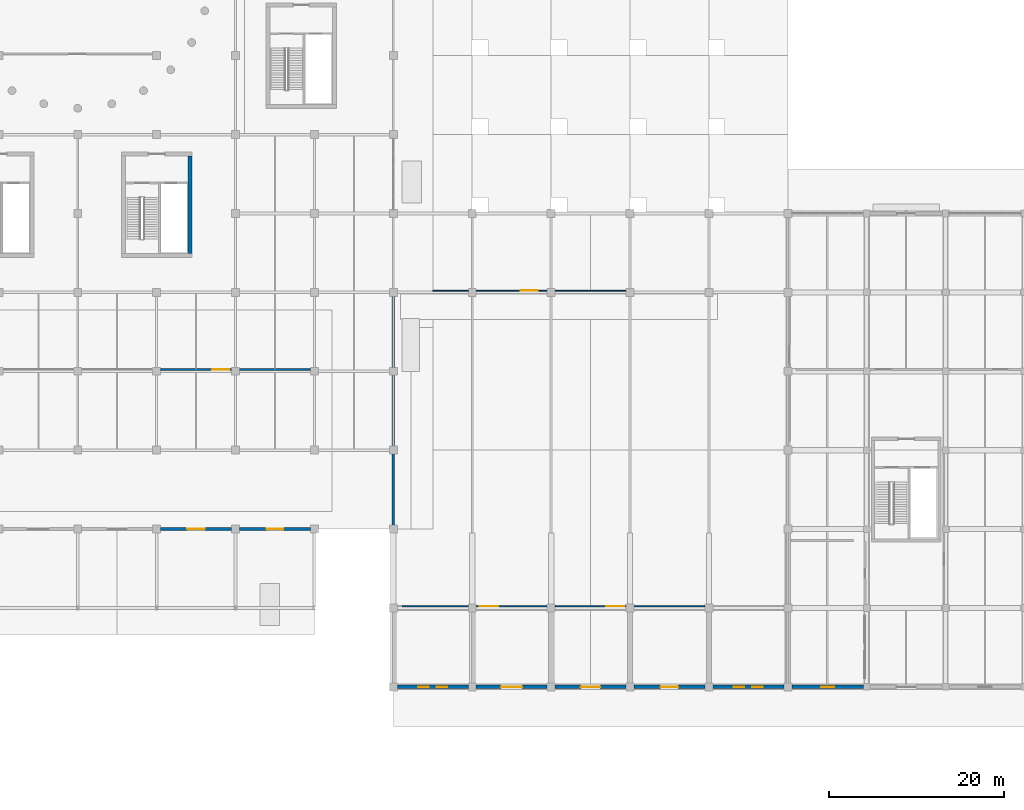
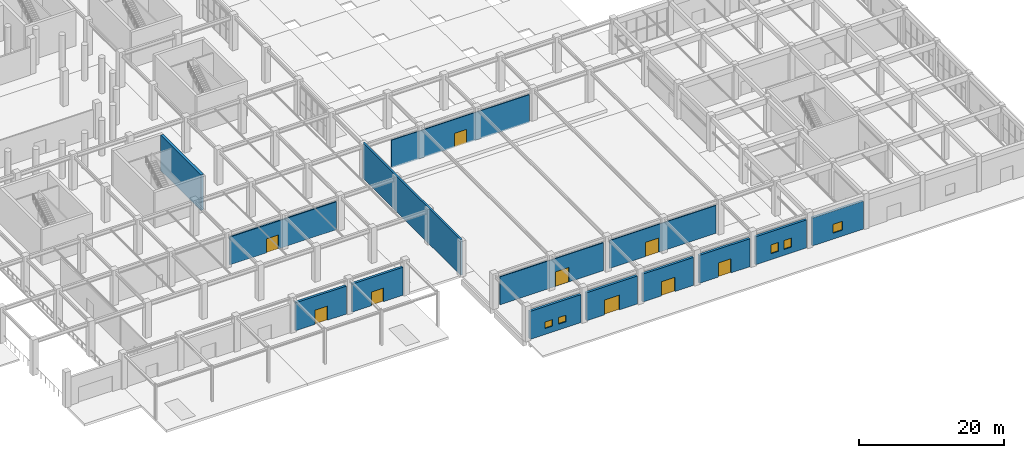
# One storey, part 64 of 91: 14 walls, 9 doors, 5 windows, 14 openings.
"""IFC4 building model written with IfcOpenShell, lengths in metres."""

from ifc_helpers import new_model, si_unit, direction, frame, frame_2d, origin, place, context, subcontext, project, spatial, rectangle, extrude, material, layer, layer_set, type_object, element, fill, save


model = new_model("IFC4")

# Units and contexts
model_context = context("Model", 3, precision=1e-05, world=origin(), true_north=direction((0.0, 1.0)))
body_context = subcontext(model_context, "Body", "Model", "MODEL_VIEW")
ifc_project = project(units=[si_unit("LENGTHUNIT", "METRE"), si_unit("AREAUNIT", "SQUARE_METRE"), si_unit("VOLUMEUNIT", "CUBIC_METRE"), si_unit("PLANEANGLEUNIT", "RADIAN"), si_unit("MASSUNIT", "GRAM", prefix="KILO")], contexts=[model_context])

# Site, building, storey
site_placement = place(None, origin())
site = spatial("IfcSite", under=ifc_project, at=site_placement, CompositionType="ELEMENT")
building_placement = place(site_placement, origin())
building = spatial("IfcBuilding", under=site, at=building_placement, Name="Dornveld Trade and Exhibition Forum", CompositionType="ELEMENT")
storey_placement = place(building_placement, origin())
storey = spatial("IfcBuildingStorey", under=building, at=storey_placement, Name="L00", CompositionType="ELEMENT", Elevation=0.0)

# Walls
ifc_material_1 = material(Name="Concrete C40/50", Category="concrete")
ifc_layer_1 = layer(ifc_material_1, 0.449951171875)
ifc_layer_set_1 = layer_set([ifc_layer_1], Name="Concrete C40/50")
wall_type_1 = type_object("IfcWallType", Name="WL-CORE-450", PredefinedType="SHEAR", material=ifc_layer_set_1)
wall_1_placement = place(storey_placement, frame((129.800048828125, 49.425048828125, 0.0), z_axis=(0.0, 0.0, 1.0), x_axis=(0.0, 1.0, 0.0)))
element("IfcWall", 1, at=wall_1_placement, inside=storey, type_object=wall_type_1, Name="CORE-07 L00 shear wall E", PredefinedType="SHEAR", context=body_context, shape_type="SweptSolid", body=[
    extrude(rectangle(XDim=11.14990234375, YDim=0.449951171875, at=frame_2d((5.574951171875, 0.0))), origin(), (0.0, 0.0, 1.0), 6.0),
])
ifc_material_2 = material(Name="Concrete C40/50", Category="concrete")
ifc_layer_2 = layer(ifc_material_2, 0.300048828125)
ifc_layer_set_2 = layer_set([ifc_layer_2], Name="Concrete C40/50")
wall_type_2 = type_object("IfcWallType", Name="WL-DIV-300", PredefinedType="SHEAR", material=ifc_layer_set_2)
wall_2_placement = place(storey_placement, frame((153.0, 18.0, 0.0), z_axis=(0.0, 0.0, 1.0), x_axis=(0.0, 1.0, 0.0)))
element("IfcWall", 2, at=wall_2_placement, inside=storey, type_object=wall_type_2, Name="L00 fire division shear wall 6", PredefinedType="SHEAR", context=body_context, shape_type="SweptSolid", body=[
    extrude(rectangle(XDim=27.0, YDim=0.300048828125, at=frame_2d((13.5, 0.0))), origin(), (0.0, 0.0, 1.0), 6.0),
])

# Wall, openings, windows
ifc_material_3 = material(Name="Precast concrete C50/60", Category="concrete")
ifc_layer_3 = layer(ifc_material_3, 0.3798828125)
ifc_layer_set_3 = layer_set([ifc_layer_3], Name="Precast concrete C50/60")
wall_type_3 = type_object("IfcWallType", Name="WL-EXT-PC380", PredefinedType="SOLIDWALL", material=ifc_layer_set_3)
wall_3_placement = place(storey_placement, frame((153.449462890625, 0.0, 0.0), z_axis=(0.0, 0.0, 1.0), x_axis=(1.0, 0.0, 0.0)))
wall_3 = element("IfcWall", 3, at=wall_3_placement, inside=storey, type_object=wall_type_3, Name="L00 precast facade wall 15", PredefinedType="SOLIDWALL", context=body_context, shape_type="SweptSolid", body=[
    extrude(rectangle(XDim=8.10107421875, YDim=0.3798828125, at=frame_2d((4.050537109375, 0.0))), origin(), (0.0, 0.0, 1.0), 4.719970703125),
])
opening_1_placement = place(wall_3_placement, frame((2.400390625, 0.0, 1.0)))
opening_1 = element("IfcOpeningElement", 4, at=opening_1_placement, cuts=wall_3, Name="Opening W-01", PredefinedType="OPENING", context=body_context, shape_type="SweptSolid", body=[
    extrude(rectangle(XDim=1.199951171875, YDim=1.10009765625, at=frame_2d((0.60009765625, 0.550048828125))), frame((0.0, 0.199951171875, 0.0), z_axis=(0.0, -1.0, 0.0), x_axis=(1.0, 0.0, 0.0)), (0.0, 0.0, 1.0), 0.39990234375),
])
opening_2_placement = place(wall_3_placement, frame((4.50048828125, 0.0, 1.0)))
opening_2 = element("IfcOpeningElement", 5, at=opening_2_placement, cuts=wall_3, Name="Opening W-01", PredefinedType="OPENING", context=body_context, shape_type="SweptSolid", body=[
    extrude(rectangle(XDim=1.199951171875, YDim=1.10009765625, at=frame_2d((0.60009765625, 0.550048828125))), frame((0.0, 0.199951171875, 0.0), z_axis=(0.0, -1.0, 0.0), x_axis=(1.0, 0.0, 0.0)), (0.0, 0.0, 1.0), 0.39990234375),
])
ifc_material_4 = material(Name="Dark-bronze anodised aluminium and low-E glass", Category="aluminium")
window_type_1 = type_object("IfcWindowType", Name="WIN-AL-01", PartitioningType="SINGLE_PANEL", PredefinedType="WINDOW", material=ifc_material_4)
window_1_placement = place(opening_1_placement, origin())
window_1 = element("IfcWindow", 6, at=window_1_placement, inside=storey, type_object=window_type_1, Name="L00 facade window 1", OverallHeight=1.10009765625, OverallWidth=1.199951171875, PartitioningType="SINGLE_PANEL", PredefinedType="WINDOW", context=body_context, shape_type="SweptSolid", body=[
    extrude(rectangle(XDim=1.199951171875, YDim=1.10009765625, at=frame_2d((0.60009765625, 0.550048828125))), frame((0.0, 0.030029296875, 0.0), z_axis=(0.0, -1.0, 0.0), x_axis=(1.0, 0.0, 0.0)), (0.0, 0.0, 1.0), 0.06005859375),
])
fill(opening_1, window_1)
window_2_placement = place(opening_2_placement, origin())
window_2 = element("IfcWindow", 7, at=window_2_placement, inside=storey, type_object=window_type_1, Name="L00 facade window 2", OverallHeight=1.10009765625, OverallWidth=1.199951171875, PartitioningType="SINGLE_PANEL", PredefinedType="WINDOW", context=body_context, shape_type="SweptSolid", body=[
    extrude(rectangle(XDim=1.199951171875, YDim=1.10009765625, at=frame_2d((0.60009765625, 0.550048828125))), frame((0.0, 0.030029296875, 0.0), z_axis=(0.0, -1.0, 0.0), x_axis=(1.0, 0.0, 0.0)), (0.0, 0.0, 1.0), 0.06005859375),
])
fill(opening_2, window_2)

# Wall, opening, door
wall_4_placement = place(storey_placement, frame((162.449462890625, 0.0, 0.0), z_axis=(0.0, 0.0, 1.0), x_axis=(1.0, 0.0, 0.0)))
wall_4 = element("IfcWall", 8, at=wall_4_placement, inside=storey, type_object=wall_type_3, Name="L00 precast facade wall 16", PredefinedType="SOLIDWALL", context=body_context, shape_type="SweptSolid", body=[
    extrude(rectangle(XDim=8.10107421875, YDim=0.3798828125, at=frame_2d((4.050537109375, 0.0))), origin(), (0.0, 0.0, 1.0), 4.719970703125),
])
opening_3_placement = place(wall_4_placement, frame((2.8505859375, 0.0, 0.0)))
opening_3 = element("IfcOpeningElement", 9, at=opening_3_placement, cuts=wall_4, Name="Opening ED-05", PredefinedType="OPENING", context=body_context, shape_type="SweptSolid", body=[
    extrude(rectangle(XDim=2.39990234375, YDim=2.5, at=frame_2d((1.199951171875, 1.25))), frame((0.0, 0.199951171875, 0.0), z_axis=(0.0, -1.0, 0.0), x_axis=(1.0, 0.0, 0.0)), (0.0, 0.0, 1.0), 0.39990234375),
])
ifc_material_5 = material(Name="Dark-bronze anodised aluminium and laminated safety glass", Category="aluminium")
door_type_1 = type_object("IfcDoorType", Name="DR-EXT-240x250", OperationType="NOTDEFINED", PredefinedType="DOOR", material=ifc_material_5)
door_1_placement = place(opening_3_placement, frame((2.39990234375, 0.0, 0.0), z_axis=(0.0, 0.0, 1.0), x_axis=(-1.0, 0.0, 0.0)))
door_1 = element("IfcDoor", 10, at=door_1_placement, inside=storey, type_object=door_type_1, Name="Ground final exit double door 5", OperationType="DOUBLE_DOOR_SINGLE_SWING", OverallHeight=2.5, OverallWidth=2.39990234375, PredefinedType="DOOR", context=body_context, shape_type="SweptSolid", body=[
    extrude(rectangle(XDim=2.39990234375, YDim=2.5, at=frame_2d((1.199951171875, 1.25))), frame((0.0, 0.02490234375, 0.0), z_axis=(0.0, -1.0, 0.0), x_axis=(1.0, 0.0, 0.0)), (0.0, 0.0, 1.0), 0.050048828125),
])
fill(opening_3, door_1)

wall_5_placement = place(storey_placement, frame((171.449462890625, 0.0, 0.0), z_axis=(0.0, 0.0, 1.0), x_axis=(1.0, 0.0, 0.0)))
wall_5 = element("IfcWall", 11, at=wall_5_placement, inside=storey, type_object=wall_type_3, Name="L00 precast facade wall 17", PredefinedType="SOLIDWALL", context=body_context, shape_type="SweptSolid", body=[
    extrude(rectangle(XDim=8.10107421875, YDim=0.3798828125, at=frame_2d((4.050537109375, 0.0))), origin(), (0.0, 0.0, 1.0), 4.719970703125),
])
opening_4_placement = place(wall_5_placement, frame((2.950439453125, 0.0, 0.0)))
opening_4 = element("IfcOpeningElement", 12, at=opening_4_placement, cuts=wall_5, Name="Opening ED-06", PredefinedType="OPENING", context=body_context, shape_type="SweptSolid", body=[
    extrude(rectangle(XDim=2.199951171875, YDim=2.39990234375, at=frame_2d((1.10009765625, 1.199951171875))), frame((0.0, 0.199951171875, 0.0), z_axis=(0.0, -1.0, 0.0), x_axis=(1.0, 0.0, 0.0)), (0.0, 0.0, 1.0), 0.39990234375),
])
ifc_material_6 = material(Name="Dark-bronze anodised aluminium and laminated safety glass", Category="aluminium")
door_type_2 = type_object("IfcDoorType", Name="DR-EXT-220x240", OperationType="NOTDEFINED", PredefinedType="DOOR", material=ifc_material_6)
door_2_placement = place(opening_4_placement, frame((2.199951171875, 0.0, 0.0), z_axis=(0.0, 0.0, 1.0), x_axis=(-1.0, 0.0, 0.0)))
door_2 = element("IfcDoor", 13, at=door_2_placement, inside=storey, type_object=door_type_2, Name="Ground final exit double door 6", OperationType="DOUBLE_DOOR_SINGLE_SWING", OverallHeight=2.39990234375, OverallWidth=2.199951171875, PredefinedType="DOOR", context=body_context, shape_type="SweptSolid", body=[
    extrude(rectangle(XDim=2.199951171875, YDim=2.39990234375, at=frame_2d((1.10009765625, 1.199951171875))), frame((0.0, 0.02490234375, 0.0), z_axis=(0.0, -1.0, 0.0), x_axis=(1.0, 0.0, 0.0)), (0.0, 0.0, 1.0), 0.050048828125),
])
fill(opening_4, door_2)

wall_6_placement = place(storey_placement, frame((180.449462890625, 0.0, 0.0), z_axis=(0.0, 0.0, 1.0), x_axis=(1.0, 0.0, 0.0)))
wall_6 = element("IfcWall", 14, at=wall_6_placement, inside=storey, type_object=wall_type_3, Name="L00 precast facade wall 18", PredefinedType="SOLIDWALL", context=body_context, shape_type="SweptSolid", body=[
    extrude(rectangle(XDim=8.10107421875, YDim=0.3798828125, at=frame_2d((4.050537109375, 0.0))), origin(), (0.0, 0.0, 1.0), 4.719970703125),
])
opening_5_placement = place(wall_6_placement, frame((3.050537109375, 0.0, 0.0)))
opening_5 = element("IfcOpeningElement", 15, at=opening_5_placement, cuts=wall_6, Name="Opening ED-07", PredefinedType="OPENING", context=body_context, shape_type="SweptSolid", body=[
    extrude(rectangle(XDim=2.0, YDim=2.39990234375, at=frame_2d((1.0, 1.199951171875))), frame((0.0, 0.199951171875, 0.0), z_axis=(0.0, -1.0, 0.0), x_axis=(1.0, 0.0, 0.0)), (0.0, 0.0, 1.0), 0.39990234375),
])
ifc_material_7 = material(Name="Dark-bronze anodised aluminium and laminated safety glass", Category="aluminium")
door_type_3 = type_object("IfcDoorType", Name="DR-EXT-200x240", OperationType="NOTDEFINED", PredefinedType="DOOR", material=ifc_material_7)
door_3_placement = place(opening_5_placement, frame((2.0, 0.0, 0.0), z_axis=(0.0, 0.0, 1.0), x_axis=(-1.0, 0.0, 0.0)))
door_3 = element("IfcDoor", 16, at=door_3_placement, inside=storey, type_object=door_type_3, Name="Ground final exit double door 7", OperationType="DOUBLE_DOOR_SINGLE_SWING", OverallHeight=2.39990234375, OverallWidth=2.0, PredefinedType="DOOR", context=body_context, shape_type="SweptSolid", body=[
    extrude(rectangle(XDim=2.0, YDim=2.39990234375, at=frame_2d((1.0, 1.199951171875))), frame((0.0, 0.02490234375, 0.0), z_axis=(0.0, -1.0, 0.0), x_axis=(1.0, 0.0, 0.0)), (0.0, 0.0, 1.0), 0.050048828125),
])
fill(opening_5, door_3)

# Wall, openings, windows
wall_7_placement = place(storey_placement, frame((189.449462890625, 0.0, 0.0), z_axis=(0.0, 0.0, 1.0), x_axis=(1.0, 0.0, 0.0)))
wall_7 = element("IfcWall", 17, at=wall_7_placement, inside=storey, type_object=wall_type_3, Name="L00 precast facade wall 19", PredefinedType="SOLIDWALL", context=body_context, shape_type="SweptSolid", body=[
    extrude(rectangle(XDim=8.10107421875, YDim=0.3798828125, at=frame_2d((4.050537109375, 0.0))), origin(), (0.0, 0.0, 1.0), 4.719970703125),
])
opening_6_placement = place(wall_7_placement, frame((2.400390625, 0.0, 1.0)))
opening_6 = element("IfcOpeningElement", 18, at=opening_6_placement, cuts=wall_7, Name="Opening W-03", PredefinedType="OPENING", context=body_context, shape_type="SweptSolid", body=[
    extrude(rectangle(XDim=1.199951171875, YDim=1.5, at=frame_2d((0.60009765625, 0.75))), frame((0.0, 0.199951171875, 0.0), z_axis=(0.0, -1.0, 0.0), x_axis=(1.0, 0.0, 0.0)), (0.0, 0.0, 1.0), 0.39990234375),
])
opening_7_placement = place(wall_7_placement, frame((4.50048828125, 0.0, 1.0)))
opening_7 = element("IfcOpeningElement", 19, at=opening_7_placement, cuts=wall_7, Name="Opening W-03", PredefinedType="OPENING", context=body_context, shape_type="SweptSolid", body=[
    extrude(rectangle(XDim=1.199951171875, YDim=1.5, at=frame_2d((0.60009765625, 0.75))), frame((0.0, 0.199951171875, 0.0), z_axis=(0.0, -1.0, 0.0), x_axis=(1.0, 0.0, 0.0)), (0.0, 0.0, 1.0), 0.39990234375),
])
ifc_material_8 = material(Name="Dark-bronze anodised aluminium and low-E glass", Category="aluminium")
window_type_2 = type_object("IfcWindowType", Name="WIN-AL-03", PartitioningType="SINGLE_PANEL", PredefinedType="WINDOW", material=ifc_material_8)
window_3_placement = place(opening_6_placement, origin())
window_3 = element("IfcWindow", 20, at=window_3_placement, inside=storey, type_object=window_type_2, Name="L00 facade window 3", OverallHeight=1.5, OverallWidth=1.199951171875, PartitioningType="SINGLE_PANEL", PredefinedType="WINDOW", context=body_context, shape_type="SweptSolid", body=[
    extrude(rectangle(XDim=1.199951171875, YDim=1.5, at=frame_2d((0.60009765625, 0.75))), frame((0.0, 0.030029296875, 0.0), z_axis=(0.0, -1.0, 0.0), x_axis=(1.0, 0.0, 0.0)), (0.0, 0.0, 1.0), 0.06005859375),
])
fill(opening_6, window_3)
window_4_placement = place(opening_7_placement, origin())
window_4 = element("IfcWindow", 21, at=window_4_placement, inside=storey, type_object=window_type_2, Name="L00 facade window 4", OverallHeight=1.5, OverallWidth=1.199951171875, PartitioningType="SINGLE_PANEL", PredefinedType="WINDOW", context=body_context, shape_type="SweptSolid", body=[
    extrude(rectangle(XDim=1.199951171875, YDim=1.5, at=frame_2d((0.60009765625, 0.75))), frame((0.0, 0.030029296875, 0.0), z_axis=(0.0, -1.0, 0.0), x_axis=(1.0, 0.0, 0.0)), (0.0, 0.0, 1.0), 0.06005859375),
])
fill(opening_7, window_4)

# Wall, opening, door
wall_8_placement = place(storey_placement, frame((126.449462890625, 18.0, 0.0), z_axis=(0.0, 0.0, 1.0), x_axis=(1.0, 0.0, 0.0)))
wall_8 = element("IfcWall", 22, at=wall_8_placement, inside=storey, type_object=wall_type_3, Name="L00 precast facade wall 23", PredefinedType="SOLIDWALL", context=body_context, shape_type="SweptSolid", body=[
    extrude(rectangle(XDim=8.10107421875, YDim=0.3798828125, at=frame_2d((4.050537109375, 0.0))), origin(), (0.0, 0.0, 1.0), 4.719970703125),
])
opening_8_placement = place(wall_8_placement, frame((3.050537109375, 0.0, 0.0)))
opening_8 = element("IfcOpeningElement", 23, at=opening_8_placement, cuts=wall_8, Name="Opening ED-11", PredefinedType="OPENING", context=body_context, shape_type="SweptSolid", body=[
    extrude(rectangle(XDim=2.0, YDim=2.39990234375, at=frame_2d((1.0, 1.199951171875))), frame((0.0, 0.199951171875, 0.0), z_axis=(0.0, -1.0, 0.0), x_axis=(1.0, 0.0, 0.0)), (0.0, 0.0, 1.0), 0.39990234375),
])
door_4_placement = place(opening_8_placement, frame((2.0, 0.0, 0.0), z_axis=(0.0, 0.0, 1.0), x_axis=(-1.0, 0.0, 0.0)))
door_4 = element("IfcDoor", 24, at=door_4_placement, inside=storey, type_object=door_type_3, Name="Ground final exit double door 11", OperationType="DOUBLE_DOOR_SINGLE_SWING", OverallHeight=2.39990234375, OverallWidth=2.0, PredefinedType="DOOR", context=body_context, shape_type="SweptSolid", body=[
    extrude(rectangle(XDim=2.0, YDim=2.39990234375, at=frame_2d((1.0, 1.199951171875))), frame((0.0, 0.02490234375, 0.0), z_axis=(0.0, -1.0, 0.0), x_axis=(1.0, 0.0, 0.0)), (0.0, 0.0, 1.0), 0.050048828125),
])
fill(opening_8, door_4)

wall_9_placement = place(storey_placement, frame((135.449462890625, 18.0, 0.0), z_axis=(0.0, 0.0, 1.0), x_axis=(1.0, 0.0, 0.0)))
wall_9 = element("IfcWall", 25, at=wall_9_placement, inside=storey, type_object=wall_type_3, Name="L00 precast facade wall 24", PredefinedType="SOLIDWALL", context=body_context, shape_type="SweptSolid", body=[
    extrude(rectangle(XDim=8.10107421875, YDim=0.3798828125, at=frame_2d((4.050537109375, 0.0))), origin(), (0.0, 0.0, 1.0), 4.719970703125),
])
opening_9_placement = place(wall_9_placement, frame((3.1005859375, 0.0, 0.0)))
opening_9 = element("IfcOpeningElement", 26, at=opening_9_placement, cuts=wall_9, Name="Opening ED-12", PredefinedType="OPENING", context=body_context, shape_type="SweptSolid", body=[
    extrude(rectangle(XDim=1.89990234375, YDim=2.300048828125, at=frame_2d((0.949951171875, 1.14990234375))), frame((0.0, 0.199951171875, 0.0), z_axis=(0.0, -1.0, 0.0), x_axis=(1.0, 0.0, 0.0)), (0.0, 0.0, 1.0), 0.39990234375),
])
ifc_material_9 = material(Name="Dark-bronze anodised aluminium and laminated safety glass", Category="aluminium")
door_type_4 = type_object("IfcDoorType", Name="DR-EXT-190x230", OperationType="NOTDEFINED", PredefinedType="DOOR", material=ifc_material_9)
door_5_placement = place(opening_9_placement, frame((1.89990234375, 0.0, 0.0), z_axis=(0.0, 0.0, 1.0), x_axis=(-1.0, 0.0, 0.0)))
door_5 = element("IfcDoor", 27, at=door_5_placement, inside=storey, type_object=door_type_4, Name="Ground final exit double door 12", OperationType="DOUBLE_DOOR_SINGLE_SWING", OverallHeight=2.300048828125, OverallWidth=1.89990234375, PredefinedType="DOOR", context=body_context, shape_type="SweptSolid", body=[
    extrude(rectangle(XDim=1.89990234375, YDim=2.300048828125, at=frame_2d((0.949951171875, 1.14990234375))), frame((0.0, 0.02490234375, 0.0), z_axis=(0.0, -1.0, 0.0), x_axis=(1.0, 0.0, 0.0)), (0.0, 0.0, 1.0), 0.050048828125),
])
fill(opening_9, door_5)

# Wall, opening, window
wall_10_placement = place(storey_placement, frame((198.449462890625, 0.0, 0.0), z_axis=(0.0, 0.0, 1.0), x_axis=(1.0, 0.0, 0.0)))
wall_10 = element("IfcWall", 28, at=wall_10_placement, inside=storey, type_object=wall_type_3, Name="L00 precast facade wall 96", PredefinedType="SOLIDWALL", context=body_context, shape_type="SweptSolid", body=[
    extrude(rectangle(XDim=8.176025390625, YDim=0.3798828125, at=frame_2d((4.087890625, 0.0))), origin(), (0.0, 0.0, 1.0), 4.719970703125),
])
opening_10_placement = place(wall_10_placement, frame((3.337890625, 0.0, 1.0)))
opening_10 = element("IfcOpeningElement", 29, at=opening_10_placement, cuts=wall_10, Name="Opening W-10", PredefinedType="OPENING", context=body_context, shape_type="SweptSolid", body=[
    extrude(rectangle(XDim=1.5, YDim=1.5, at=frame_2d((0.75, 0.75))), frame((0.0, 0.199951171875, 0.0), z_axis=(0.0, -1.0, 0.0), x_axis=(1.0, 0.0, 0.0)), (0.0, 0.0, 1.0), 0.39990234375),
])
ifc_material_10 = material(Name="Dark-bronze anodised aluminium and low-E glass", Category="aluminium")
window_type_3 = type_object("IfcWindowType", Name="WIN-AL-10", PartitioningType="SINGLE_PANEL", PredefinedType="WINDOW", material=ifc_material_10)
window_5_placement = place(opening_10_placement, origin())
window_5 = element("IfcWindow", 30, at=window_5_placement, inside=storey, type_object=window_type_3, Name="L00 facade window 73", OverallHeight=1.5, OverallWidth=1.5, PartitioningType="SINGLE_PANEL", PredefinedType="WINDOW", context=body_context, shape_type="SweptSolid", body=[
    extrude(rectangle(XDim=1.5, YDim=1.5, at=frame_2d((0.75, 0.75))), frame((0.0, 0.030029296875, 0.0), z_axis=(0.0, -1.0, 0.0), x_axis=(1.0, 0.0, 0.0)), (0.0, 0.0, 1.0), 0.06005859375),
])
fill(opening_10, window_5)

# Wall, opening, door
ifc_material_11 = material(Name="Acoustic twin-stud gypsum and mineral wool", Category="gypsum")
ifc_layer_4 = layer(ifc_material_11, 0.215087890625)
ifc_layer_set_4 = layer_set([ifc_layer_4], Name="Acoustic twin-stud gypsum and mineral wool")
wall_type_4 = type_object("IfcWallType", Name="WL-INT-AC215", PredefinedType="PARTITIONING", material=ifc_layer_set_4)
wall_11_placement = place(storey_placement, frame((126.47998046875, 36.199951171875, 0.0), z_axis=(0.0, 0.0, 1.0), x_axis=(1.0, 0.0, 0.0)))
wall_11 = element("IfcWall", 31, at=wall_11_placement, inside=storey, type_object=wall_type_4, Name="L00 interior partition 97", PredefinedType="PARTITIONING", context=body_context, shape_type="SweptSolid", body=[
    extrude(rectangle(XDim=17.0400390625, YDim=0.215087890625, at=frame_2d((8.52001953125, 0.0))), origin(), (0.0, 0.0, 1.0), 4.699951171875),
])
opening_11_placement = place(wall_11_placement, frame((5.85595703125, 0.0, 0.0)))
opening_11 = element("IfcOpeningElement", 32, at=opening_11_placement, cuts=wall_11, Name="Opening MSD-01-063", PredefinedType="OPENING", context=body_context, shape_type="SweptSolid", body=[
    extrude(rectangle(XDim=1.919921875, YDim=2.35009765625, at=frame_2d((0.9599609375, 1.175048828125))), frame((0.0, 0.117431640625, 0.0), z_axis=(0.0, -1.0, 0.0), x_axis=(1.0, 0.0, 0.0)), (0.0, 0.0, 1.0), 0.235107421875),
])
ifc_material_12 = material(Name="Acoustic seminar double door", Category="wood")
door_type_5 = type_object("IfcDoorType", Name="DR-SUB-192x235", OperationType="NOTDEFINED", PredefinedType="DOOR", material=ifc_material_12)
door_6_placement = place(opening_11_placement, origin())
door_6 = element("IfcDoor", 33, at=door_6_placement, inside=storey, type_object=door_type_5, Name="L00 interior room door 63", OperationType="DOUBLE_DOOR_SINGLE_SWING", OverallHeight=2.35009765625, OverallWidth=1.919921875, PredefinedType="DOOR", context=body_context, shape_type="SweptSolid", body=[
    extrude(rectangle(XDim=1.919921875, YDim=2.35009765625, at=frame_2d((0.9599609375, 1.175048828125))), frame((0.0, 0.02490234375, 0.0), z_axis=(0.0, -1.0, 0.0), x_axis=(1.0, 0.0, 0.0)), (0.0, 0.0, 1.0), 0.050048828125),
])
fill(opening_11, door_6)

ifc_material_13 = material(Name="Steel-stud gypsum partition", Category="steel")
ifc_layer_5 = layer(ifc_material_13, 0.135009765625)
ifc_layer_set_5 = layer_set([ifc_layer_5], Name="Steel-stud gypsum partition")
wall_type_5 = type_object("IfcWallType", Name="WL-INT-ST135", PredefinedType="PARTITIONING", material=ifc_layer_set_5)
wall_12_placement = place(storey_placement, frame((157.52001953125, 45.199951171875, 0.0), z_axis=(0.0, 0.0, 1.0), x_axis=(1.0, 0.0, 0.0)))
wall_12 = element("IfcWall", 34, at=wall_12_placement, inside=storey, type_object=wall_type_5, Name="L00 interior partition 33", PredefinedType="PARTITIONING", context=body_context, shape_type="SweptSolid", body=[
    extrude(rectangle(XDim=22.0, YDim=0.135009765625, at=frame_2d((11.0, 0.0))), origin(), (0.0, 0.0, 1.0), 4.699951171875),
])
opening_12_placement = place(wall_12_placement, frame((10.02490234375, 0.0, 0.0)))
opening_12 = element("IfcOpeningElement", 35, at=opening_12_placement, cuts=wall_12, Name="Opening CGD-03-022", PredefinedType="OPENING", context=body_context, shape_type="SweptSolid", body=[
    extrude(rectangle(XDim=1.949951171875, YDim=2.35009765625, at=frame_2d((0.97509765625, 1.175048828125))), frame((0.0, 0.077392578125, 0.0), z_axis=(0.0, -1.0, 0.0), x_axis=(1.0, 0.0, 0.0)), (0.0, 0.0, 1.0), 0.155029296875),
])
ifc_material_14 = material(Name="Acoustic timber-veneered congress double door", Category="wood")
door_type_6 = type_object("IfcDoorType", Name="DR-CONG-195x235", OperationType="NOTDEFINED", PredefinedType="DOOR", material=ifc_material_14)
door_7_placement = place(opening_12_placement, origin())
door_7 = element("IfcDoor", 36, at=door_7_placement, inside=storey, type_object=door_type_6, Name="L00 interior room door 22", OperationType="DOUBLE_DOOR_SINGLE_SWING", OverallHeight=2.35009765625, OverallWidth=1.949951171875, PredefinedType="DOOR", context=body_context, shape_type="SweptSolid", body=[
    extrude(rectangle(XDim=1.949951171875, YDim=2.35009765625, at=frame_2d((0.97509765625, 1.175048828125))), frame((0.0, 0.02490234375, 0.0), z_axis=(0.0, -1.0, 0.0), x_axis=(1.0, 0.0, 0.0)), (0.0, 0.0, 1.0), 0.050048828125),
])
fill(opening_12, door_7)

ifc_material_15 = material(Name="Steel-stud gypsum partition", Category="steel")
ifc_layer_6 = layer(ifc_material_15, 0.14501953125)
ifc_layer_set_6 = layer_set([ifc_layer_6], Name="Steel-stud gypsum partition")
wall_type_6 = type_object("IfcWallType", Name="WL-INT-ST145", PredefinedType="PARTITIONING", material=ifc_layer_set_6)
wall_13_placement = place(storey_placement, frame((171.47998046875, 9.199951171875, 0.0), z_axis=(0.0, 0.0, 1.0), x_axis=(1.0, 0.0, 0.0)))
wall_13 = element("IfcWall", 37, at=wall_13_placement, inside=storey, type_object=wall_type_6, Name="L00 interior partition 32", PredefinedType="PARTITIONING", context=body_context, shape_type="SweptSolid", body=[
    extrude(rectangle(XDim=17.0400390625, YDim=0.14501953125, at=frame_2d((8.52001953125, 0.0))), origin(), (0.0, 0.0, 1.0), 4.699951171875),
])
opening_13_placement = place(wall_13_placement, frame((5.791015625, 0.0, 0.0)))
opening_13 = element("IfcOpeningElement", 38, at=opening_13_placement, cuts=wall_13, Name="Opening CGD-02-021", PredefinedType="OPENING", context=body_context, shape_type="SweptSolid", body=[
    extrude(rectangle(XDim=2.050048828125, YDim=2.39990234375, at=frame_2d((1.02490234375, 1.199951171875))), frame((0.0, 0.08251953125, 0.0), z_axis=(0.0, -1.0, 0.0), x_axis=(1.0, 0.0, 0.0)), (0.0, 0.0, 1.0), 0.1650390625),
])
ifc_material_16 = material(Name="Acoustic timber-veneered congress double door", Category="wood")
door_type_7 = type_object("IfcDoorType", Name="DR-CONG-205x240", OperationType="NOTDEFINED", PredefinedType="DOOR", material=ifc_material_16)
door_8_placement = place(opening_13_placement, origin())
door_8 = element("IfcDoor", 39, at=door_8_placement, inside=storey, type_object=door_type_7, Name="L00 interior room door 21", OperationType="DOUBLE_DOOR_SINGLE_SWING", OverallHeight=2.39990234375, OverallWidth=2.050048828125, PredefinedType="DOOR", context=body_context, shape_type="SweptSolid", body=[
    extrude(rectangle(XDim=2.050048828125, YDim=2.39990234375, at=frame_2d((1.02490234375, 1.199951171875))), frame((0.0, 0.02490234375, 0.0), z_axis=(0.0, -1.0, 0.0), x_axis=(1.0, 0.0, 0.0)), (0.0, 0.0, 1.0), 0.050048828125),
])
fill(opening_13, door_8)

ifc_material_17 = material(Name="Steel-stud gypsum partition", Category="steel")
ifc_layer_7 = layer(ifc_material_17, 0.155029296875)
ifc_layer_set_7 = layer_set([ifc_layer_7], Name="Steel-stud gypsum partition")
wall_type_7 = type_object("IfcWallType", Name="WL-INT-ST155", PredefinedType="PARTITIONING", material=ifc_layer_set_7)
wall_14_placement = place(storey_placement, frame((154.02001953125, 9.199951171875, 0.0), z_axis=(0.0, 0.0, 1.0), x_axis=(1.0, 0.0, 0.0)))
wall_14 = element("IfcWall", 40, at=wall_14_placement, inside=storey, type_object=wall_type_7, Name="L00 interior partition 31", PredefinedType="PARTITIONING", context=body_context, shape_type="SweptSolid", body=[
    extrude(rectangle(XDim=16.5, YDim=0.155029296875, at=frame_2d((8.25, 0.0))), origin(), (0.0, 0.0, 1.0), 4.699951171875),
])
opening_14_placement = place(wall_14_placement, frame((8.824951171875, 0.0, 0.0)))
opening_14 = element("IfcOpeningElement", 41, at=opening_14_placement, cuts=wall_14, Name="Opening CGD-01-020", PredefinedType="OPENING", context=body_context, shape_type="SweptSolid", body=[
    extrude(rectangle(XDim=2.14990234375, YDim=2.449951171875, at=frame_2d((1.074951171875, 1.22509765625))), frame((0.0, 0.08740234375, 0.0), z_axis=(0.0, -1.0, 0.0), x_axis=(1.0, 0.0, 0.0)), (0.0, 0.0, 1.0), 0.175048828125),
])
ifc_material_18 = material(Name="Acoustic timber-veneered congress double door", Category="wood")
door_type_8 = type_object("IfcDoorType", Name="DR-CONG-215x245", OperationType="NOTDEFINED", PredefinedType="DOOR", material=ifc_material_18)
door_9_placement = place(opening_14_placement, origin())
door_9 = element("IfcDoor", 42, at=door_9_placement, inside=storey, type_object=door_type_8, Name="L00 interior room door 20", OperationType="DOUBLE_DOOR_SINGLE_SWING", OverallHeight=2.449951171875, OverallWidth=2.14990234375, PredefinedType="DOOR", context=body_context, shape_type="SweptSolid", body=[
    extrude(rectangle(XDim=2.14990234375, YDim=2.449951171875, at=frame_2d((1.074951171875, 1.22509765625))), frame((0.0, 0.02490234375, 0.0), z_axis=(0.0, -1.0, 0.0), x_axis=(1.0, 0.0, 0.0)), (0.0, 0.0, 1.0), 0.050048828125),
])
fill(opening_14, door_9)

save(model, "model.ifc")
